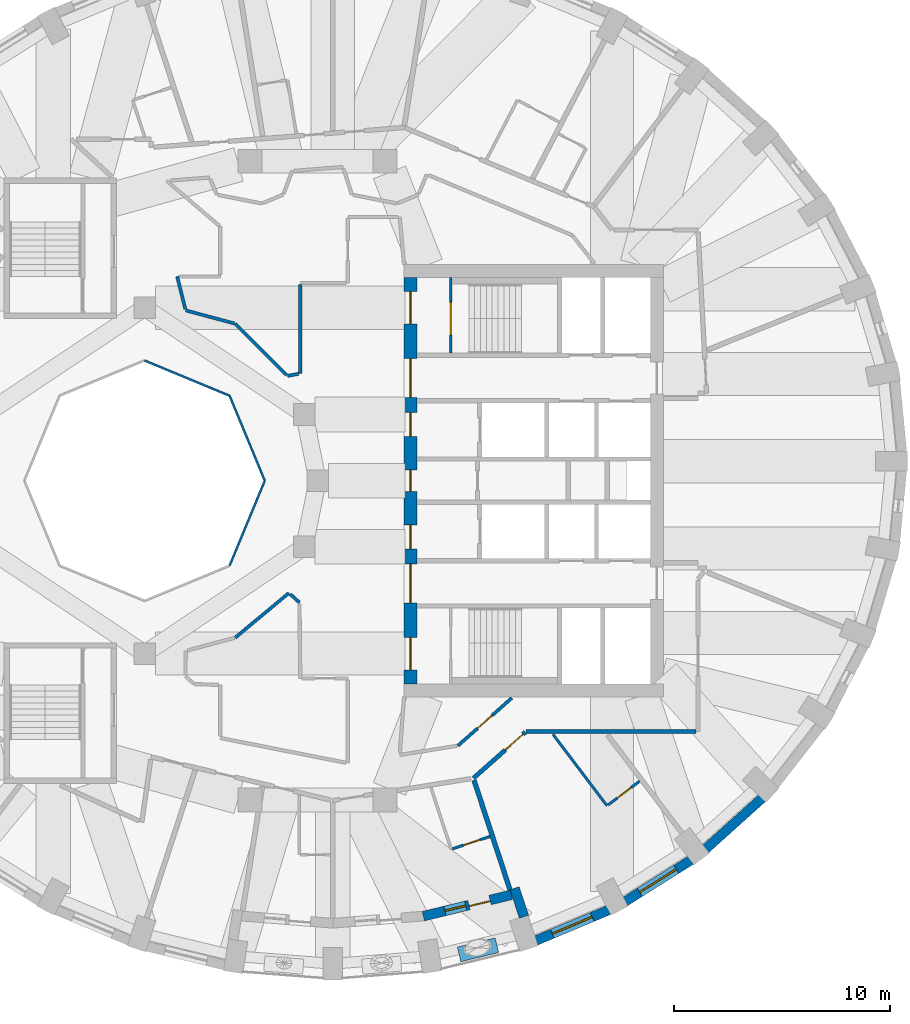
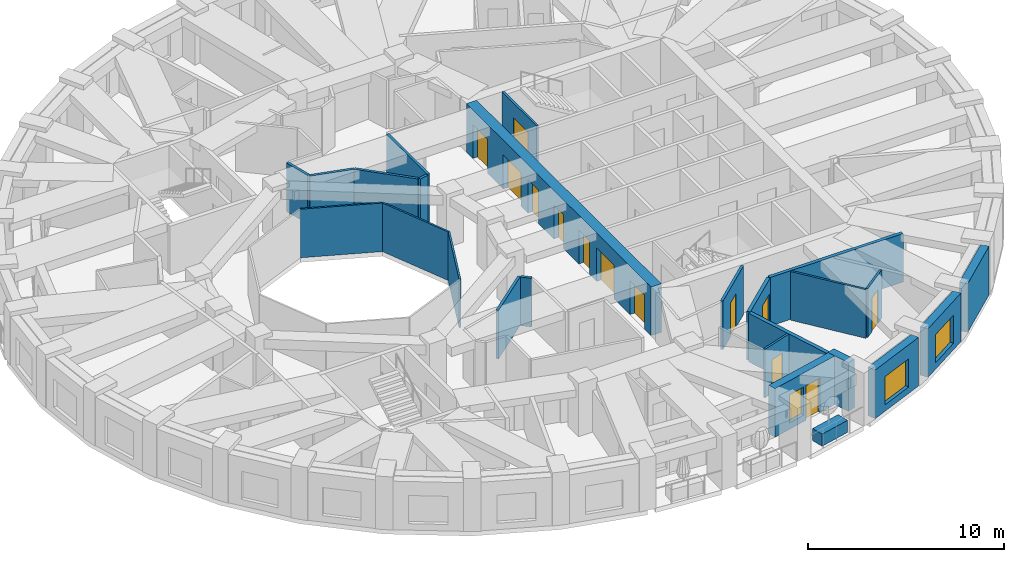
# One storey, part 5 of 12: 25 walls, 13 doors, 3 windows, 16 openings.
"""IFC4 building model written with IfcOpenShell, lengths in metres."""

import ifcopenshell
import ifcopenshell.guid

model = None  # the IFC model being written
_history = None  # IfcOwnerHistory: only IFC2X3 demands one
_inside = {}  # id of a spatial element -> (the spatial element, [elements in it])
_under = {}  # id of a project, library or spatial element -> (it, [spatial elements below it])
_declared = {}  # id of a project -> (the project, [libraries it declares])
_typed = {}  # id of a type object -> (the type object, [elements of that type])
_made_of = {}  # id of a material, layer set ... -> (it, [elements and type objects made of it])


def new_model(schema):
    """Start an empty IFC model of exactly this schema.

    Asked for "IFC4X3", IfcOpenShell would pick the latest addendum, in which some entities
    have other attributes; the version numbers below select the first issue.
    IFC2X3 requires an IfcOwnerHistory on every rooted entity: one is made here for all.
    """
    global model, _history
    if schema == "IFC4X3":
        model = ifcopenshell.file(schema_version=(4, 3, 0, 0))
    else:
        model = ifcopenshell.file(schema=schema)
    _inside.clear()
    _under.clear()
    _declared.clear()
    _typed.clear()
    _made_of.clear()
    _history = None
    if model.schema == "IFC2X3":
        org = make("IfcOrganization", Name="unknown")
        user = make(
            "IfcPersonAndOrganization",
            ThePerson=make("IfcPerson", FamilyName="unknown"),
            TheOrganization=org,
        )
        app = make(
            "IfcApplication",
            ApplicationDeveloper=org,
            Version="unknown",
            ApplicationFullName="unknown",
            ApplicationIdentifier="unknown",
        )
        _history = make(
            "IfcOwnerHistory",
            OwningUser=user,
            OwningApplication=app,
            ChangeAction="ADDED",
            CreationDate=0,
        )
    return model


def make(cls, **values):
    """One entity of the class cls with the attributes given. An attribute that is None is left unset."""
    return model.create_entity(
        cls, **{name: value for name, value in values.items() if value is not None}
    )


def rooted(cls, **values):
    """An entity with a GlobalId (a new one), such as an element, a storey or a relation."""
    return make(cls, GlobalId=ifcopenshell.guid.new(), OwnerHistory=_history, **values)


def si_unit(unit_type, name, prefix=None):
    """IfcSIUnit, for example si_unit("LENGTHUNIT", "METRE", prefix="MILLI")."""
    return make("IfcSIUnit", UnitType=unit_type, Prefix=prefix, Name=name)


def assignment(units):
    """IfcUnitAssignment: the units of a project."""
    return None if units is None else make("IfcUnitAssignment", Units=units)


def point(xyz):
    """IfcCartesianPoint."""
    return None if xyz is None else make("IfcCartesianPoint", Coordinates=xyz)


def direction(xyz):
    """IfcDirection."""
    return None if xyz is None else make("IfcDirection", DirectionRatios=xyz)


def frame(location, z_axis=None, x_axis=None):
    """IfcAxis2Placement3D, a coordinate frame: its origin and axes. An axis left out is left unset."""
    return make(
        "IfcAxis2Placement3D",
        Location=point(location),
        Axis=direction(z_axis),
        RefDirection=direction(x_axis),
    )


def frame_2d(location, x_axis=None):
    """IfcAxis2Placement2D, a coordinate frame in the plane: its origin and x axis."""
    return make(
        "IfcAxis2Placement2D", Location=point(location), RefDirection=direction(x_axis)
    )


def origin():
    """The frame at (0, 0, 0) with its axes left unset."""
    return frame((0.0, 0.0, 0.0))


def place(relative_to, where):
    """IfcLocalPlacement: puts the frame where relative to a parent placement (None: the world)."""
    return make(
        "IfcLocalPlacement", PlacementRelTo=relative_to, RelativePlacement=where
    )


def context(
    kind, dimensions, precision=None, world=None, true_north=None, identifier=None
):
    """IfcGeometricRepresentationContext, for example the 3D "Model" context."""
    return make(
        "IfcGeometricRepresentationContext",
        ContextIdentifier=identifier,
        ContextType=kind,
        CoordinateSpaceDimension=dimensions,
        Precision=precision,
        WorldCoordinateSystem=world,
        TrueNorth=true_north,
    )


def subcontext(parent, identifier, kind, view, scale=None):
    """IfcGeometricRepresentationSubContext, for example "Body" below "Model"."""
    return make(
        "IfcGeometricRepresentationSubContext",
        ContextIdentifier=identifier,
        ContextType=kind,
        ParentContext=parent,
        TargetScale=scale,
        TargetView=view,
    )


def project(units=None, contexts=None):
    """IfcProject with its units and contexts."""
    return rooted(
        "IfcProject",
        Name="project",
        RepresentationContexts=contexts,
        UnitsInContext=assignment(units),
    )


def spatial(cls, under=None, at=None, **own):
    """A site, building, storey or space (cls), placed at a placement, below another one or the project."""
    s = rooted(cls, ObjectPlacement=at, **own)
    if under is not None:
        _under.setdefault(under.id(), (under, []))[1].append(s)
    return s


def profile(cls, at=None, kind="AREA", **sizes):
    """A parametric profile (cls). Its sizes go by their IFC names, for example OverallWidth=200.0."""
    return make(cls, ProfileType=kind, Position=at, **sizes)


def rectangle(**sizes):
    """IfcRectangleProfileDef."""
    return profile("IfcRectangleProfileDef", **sizes)


def extrude(swept, where, along, depth):
    """IfcExtrudedAreaSolid: the profile swept, set in the frame where, extruded along a direction by depth."""
    return make(
        "IfcExtrudedAreaSolid",
        SweptArea=swept,
        Position=where,
        ExtrudedDirection=direction(along),
        Depth=depth,
    )


def shape(context_of_items, identifier, shape_type, items):
    """IfcShapeRepresentation: the items that make up one representation, for example the "Body"."""
    return make(
        "IfcShapeRepresentation",
        ContextOfItems=context_of_items,
        RepresentationIdentifier=identifier,
        RepresentationType=shape_type,
        Items=items,
    )


def material(Name=None, Category=None):
    """IfcMaterial."""
    return make("IfcMaterial", Name=Name, Category=Category)


def layer(
    of_material, thickness, ventilated=None, Name=None, Category=None, Priority=None
):
    """IfcMaterialLayer: one layer of a wall or slab, of a material (None: an air gap)."""
    return make(
        "IfcMaterialLayer",
        Material=of_material,
        LayerThickness=thickness,
        IsVentilated=ventilated,
        Name=Name,
        Category=Category,
        Priority=Priority,
    )


def layer_set(layers, Name=None):
    """IfcMaterialLayerSet."""
    return make("IfcMaterialLayerSet", MaterialLayers=layers, LayerSetName=Name)


def constituent(of_material, Name=None, Category=None, fraction=None):
    """IfcMaterialConstituent: one of the materials an element consists of."""
    return make(
        "IfcMaterialConstituent",
        Name=Name,
        Material=of_material,
        Fraction=fraction,
        Category=Category,
    )


def constituent_set(constituents=None, Name=None):
    """IfcMaterialConstituentSet."""
    return make(
        "IfcMaterialConstituentSet", Name=Name, MaterialConstituents=constituents
    )


def made_of(thing, what):
    """Note that an element or type object is made of a material, layer set ...; save() writes the relation."""
    if what is not None:
        _made_of.setdefault(what.id(), (what, []))[1].append(thing)
    return thing


def type_object(cls, material=None, **own):
    """A type object (cls), such as IfcWallType, which elements share."""
    return made_of(rooted(cls, **own), material)


def element(
    cls,
    number,
    at=None,
    inside=None,
    cuts=None,
    type_object=None,
    material=None,
    context=None,
    identifier="Body",
    shape_type=None,
    held_by="IfcProductDefinitionShape",
    body=None,
    shapes=None,
    **own,
):
    """One element of the class cls, such as IfcWall. Its Tag is "e" and its number.

    at: its placement. inside: the storey or other place that contains it. cuts: it is an
    opening in that element (IfcRelVoidsElement). A single representation is given by context,
    identifier, shape_type and body (its items); several are given by shapes. held_by: the class
    of the entity that holds the representations. save() writes the other relations.
    """
    e = rooted(cls, Tag="e%d" % number, ObjectPlacement=at, **own)
    if body is not None:
        shapes = [shape(context, identifier, shape_type, body)]
    if shapes is not None:
        e.Representation = make(held_by, Representations=shapes)
    if inside is not None:
        _inside.setdefault(inside.id(), (inside, []))[1].append(e)
    if cuts is not None:
        rooted(
            "IfcRelVoidsElement", RelatingBuildingElement=cuts, RelatedOpeningElement=e
        )
    if type_object is not None:
        _typed.setdefault(type_object.id(), (type_object, []))[1].append(e)
    return made_of(e, material)


def fill(opening, filler):
    """IfcRelFillsElement: the door or window that sits in an opening."""
    return rooted(
        "IfcRelFillsElement",
        RelatingOpeningElement=opening,
        RelatedBuildingElement=filler,
    )


def aggregate(whole, parts):
    """IfcRelAggregates: a whole, such as a stair, and the parts it consists of."""
    return rooted("IfcRelAggregates", RelatingObject=whole, RelatedObjects=parts)


def save(model, path):
    """Write the relations noted so far, then the file.

    IfcRelAggregates (storeys below a building ...), IfcRelContainedInSpatialStructure (elements
    in a storey), IfcRelDefinesByType, IfcRelAssociatesMaterial and IfcRelDeclares: one each for
    every whole, place, type object, material and project.
    """
    for whole, parts in _under.values():
        aggregate(whole, parts)
    for where, things in _inside.values():
        rooted(
            "IfcRelContainedInSpatialStructure",
            RelatedElements=things,
            RelatingStructure=where,
        )
    for kind, things in _typed.values():
        rooted("IfcRelDefinesByType", RelatedObjects=things, RelatingType=kind)
    for what, things in _made_of.values():
        rooted("IfcRelAssociatesMaterial", RelatedObjects=things, RelatingMaterial=what)
    for by, libraries in _declared.values():
        rooted("IfcRelDeclares", RelatingContext=by, RelatedDefinitions=libraries)
    model.write(path)


model = new_model("IFC4")

# Units and contexts
model_context = context("Model", 3, precision=1e-05, world=origin(), true_north=direction((0.0, 1.0)))
body_context = subcontext(model_context, "Body", "Model", "MODEL_VIEW")
ifc_project = project(units=[si_unit("LENGTHUNIT", "METRE"), si_unit("AREAUNIT", "SQUARE_METRE"), si_unit("VOLUMEUNIT", "CUBIC_METRE"), si_unit("PLANEANGLEUNIT", "RADIAN"), si_unit("MASSUNIT", "GRAM", prefix="KILO")], contexts=[model_context])

# Site, building, storey
site_placement = place(None, origin())
site = spatial("IfcSite", under=ifc_project, at=site_placement, CompositionType="ELEMENT")
building_placement = place(site_placement, origin())
building = spatial("IfcBuilding", under=site, at=building_placement, Name="Taillehof Tower", CompositionType="ELEMENT")
storey_placement = place(building_placement, frame((0.0, 0.0, 202.39990234375)))
storey = spatial("IfcBuildingStorey", under=building, at=storey_placement, Name="L57", CompositionType="ELEMENT", Elevation=202.39990234375)

# Walls
ifc_material_1 = material(Name="Fire-resisting glass in steel frame", Category="steel")
ifc_layer_1 = layer(ifc_material_1, 0.10009765625)
ifc_layer_set_1 = layer_set([ifc_layer_1], Name="Atrium fire-resisting screen EI 60 100")
wall_type_1 = type_object("IfcWallType", Name="Atrium fire-resisting screen EI 60 100", PredefinedType="PARTITIONING", material=ifc_layer_set_1)
for number, where, z_axis, x_axis, name in (
    (1, (-2.44580078125, 0.0, 0.0), (0.0, 0.0, 1.0), (-0.382730523909, -0.923860025149, 0.0), "Atrium screen"),
    (2, (-8.0, 5.55419921875, 0.0), (0.0, 0.0, 1.0), (0.923860025149, -0.382730523909, 0.0), "Atrium screen"),
    (3, (-4.07275390625, 3.92724609375, 0.0), (0.0, 0.0, 1.0), (0.382730523909, -0.923860025149, 0.0), "Atrium screen"),
):
    element("IfcWall", number, at=place(storey_placement, frame(where, z_axis=z_axis, x_axis=x_axis)), inside=storey, type_object=wall_type_1, Name=name, PredefinedType="PARTITIONING", context=body_context, shape_type="SweptSolid", body=[
        extrude(rectangle(XDim=4.2509765625, YDim=0.10009765625, at=frame_2d((2.12548828125, 0.0))), origin(), (0.0, 0.0, 1.0), 3.02001953125),
    ])

# Wall, opening, window
ifc_material_2 = material(Name="Brick masonry", Category="masonry")
ifc_layer_2 = layer(ifc_material_2, 0.449951171875)
ifc_layer_set_2 = layer_set([ifc_layer_2], Name="Brick infill wall 450")
wall_type_2 = type_object("IfcWallType", Name="Brick infill wall 450", PredefinedType="SOLIDWALL", material=ifc_layer_set_2)
wall_1_placement = place(storey_placement, frame((10.1025390625, -21.279052734375, 0.0), z_axis=(0.0, 0.0, 1.0), x_axis=(0.922168222612, 0.386789050006, 0.0)))
wall_1 = element("IfcWall", 4, at=wall_1_placement, inside=storey, type_object=wall_type_2, Name="Brick wall L57 bay 30", PredefinedType="SOLIDWALL", context=body_context, shape_type="SweptSolid", body=[
    extrude(rectangle(XDim=3.65087890625, YDim=0.449951171875, at=frame_2d((1.825439453125, 0.0))), origin(), (0.0, 0.0, 1.0), 3.02001953125),
])
opening_1_placement = place(wall_1_placement, frame((0.825439453125, 0.0, 0.39990234375)))
opening_1 = element("IfcOpeningElement", 5, at=opening_1_placement, cuts=wall_1, Name="Opening W2", PredefinedType="OPENING", context=body_context, shape_type="SweptSolid", body=[
    extrude(rectangle(XDim=2.0, YDim=1.75, at=frame_2d((1.0, 0.875))), frame((0.0, 0.23486328125, 0.0), z_axis=(0.0, -1.0, 0.0), x_axis=(1.0, 0.0, 0.0)), (0.0, 0.0, 1.0), 0.469970703125),
])
ifc_material_3 = material(Name="Aluminium window frame with clear double glazing", Category="aluminium")
window_type_1 = type_object("IfcWindowType", Name="Deep-set window 2000x1750", PartitioningType="SINGLE_PANEL", PredefinedType="WINDOW", material=ifc_material_3)
window_1_placement = place(opening_1_placement, origin())
window_1 = element("IfcWindow", 6, at=window_1_placement, inside=storey, type_object=window_type_1, Name="W2", OverallHeight=1.75, OverallWidth=2.0, PartitioningType="SINGLE_PANEL", PredefinedType="WINDOW", context=body_context, shape_type="SweptSolid", body=[
    extrude(rectangle(XDim=2.0, YDim=1.75, at=frame_2d((1.0, 0.875))), frame((0.0, 0.034912109375, 0.0), z_axis=(0.0, -1.0, 0.0), x_axis=(1.0, 0.0, 0.0)), (0.0, 0.0, 1.0), 0.06005859375),
])
fill(opening_1, window_1)

wall_2_placement = place(storey_placement, frame((14.232421875, -19.469970703125, 0.0), z_axis=(0.0, 0.0, 1.0), x_axis=(0.84614984472, 0.532945063098, 0.0)))
wall_2 = element("IfcWall", 7, at=wall_2_placement, inside=storey, type_object=wall_type_2, Name="Brick wall L57 bay 31", PredefinedType="SOLIDWALL", context=body_context, shape_type="SweptSolid", body=[
    extrude(rectangle(XDim=3.58642578125, YDim=0.449951171875, at=frame_2d((1.793212890625, 0.0))), origin(), (0.0, 0.0, 1.0), 3.02001953125),
])
opening_2_placement = place(wall_2_placement, frame((0.79345703125, 0.0, 0.39990234375)))
opening_2 = element("IfcOpeningElement", 8, at=opening_2_placement, cuts=wall_2, Name="Opening W2", PredefinedType="OPENING", context=body_context, shape_type="SweptSolid", body=[
    extrude(rectangle(XDim=2.0, YDim=1.75, at=frame_2d((1.0, 0.875))), frame((0.0, 0.23486328125, 0.0), z_axis=(0.0, -1.0, 0.0), x_axis=(1.0, 0.0, 0.0)), (0.0, 0.0, 1.0), 0.469970703125),
])
window_2_placement = place(opening_2_placement, origin())
window_2 = element("IfcWindow", 9, at=window_2_placement, inside=storey, type_object=window_type_1, Name="W2", OverallHeight=1.75, OverallWidth=2.0, PartitioningType="SINGLE_PANEL", PredefinedType="WINDOW", context=body_context, shape_type="SweptSolid", body=[
    extrude(rectangle(XDim=2.0, YDim=1.75, at=frame_2d((1.0, 0.875))), frame((0.0, 0.034912109375, 0.0), z_axis=(0.0, -1.0, 0.0), x_axis=(1.0, 0.0, 0.0)), (0.0, 0.0, 1.0), 0.06005859375),
])
fill(opening_2, window_2)

# Walls
wall_3_placement = place(storey_placement, frame((17.953369140625, -17.039794921875, 0.0), z_axis=(0.0, 0.0, 1.0), x_axis=(0.743442727602, 0.668799604348, 0.0)))
element("IfcWall", 10, at=wall_3_placement, inside=storey, type_object=wall_type_2, Name="Brick wall L57 bay 32", PredefinedType="SOLIDWALL", context=body_context, shape_type="SweptSolid", body=[
    extrude(rectangle(XDim=3.5126953125, YDim=0.449951171875, at=frame_2d((1.75634765625, 0.0))), origin(), (0.0, 0.0, 1.0), 3.02001953125),
])
wall_4_placement = place(storey_placement, frame((9.5498046875, -20.1767578125, 0.0), z_axis=(0.0, 0.0, 1.0), x_axis=(-0.31201065878, 0.950078601384, 0.0)))
element("IfcWall", 11, at=wall_4_placement, inside=storey, type_object=wall_type_2, Name="Brick reveal L57 pocket 8", PredefinedType="SOLIDWALL", context=body_context, shape_type="SweptSolid", body=[
    extrude(rectangle(XDim=1.390380859375, YDim=0.449951171875, at=frame_2d((0.6953125, 0.0))), origin(), (0.0, 0.0, 1.0), 3.02001953125),
])

# Wall, openings, door, window
wall_5_placement = place(storey_placement, frame((4.88916015625, -20.146484375, 0.0), z_axis=(0.0, 0.0, 1.0), x_axis=(0.972004107579, 0.234963858602, 0.0)))
wall_5 = element("IfcWall", 12, at=wall_5_placement, inside=storey, type_object=wall_type_2, Name="Brick wall L57 pocket bay 29", PredefinedType="SOLIDWALL", context=body_context, shape_type="SweptSolid", body=[
    extrude(rectangle(XDim=4.20703125, YDim=0.449951171875, at=frame_2d((2.103515625, 0.0))), origin(), (0.0, 0.0, 1.0), 3.02001953125),
])
opening_3_placement = place(wall_5_placement, frame((1.028564453125, 0.0, 0.39990234375)))
opening_3 = element("IfcOpeningElement", 13, at=opening_3_placement, cuts=wall_5, Name="Opening W5", PredefinedType="OPENING", context=body_context, shape_type="SweptSolid", body=[
    extrude(rectangle(XDim=1.0, YDim=1.75, at=frame_2d((0.5, 0.875))), frame((0.0, 0.23486328125, 0.0), z_axis=(0.0, -1.0, 0.0), x_axis=(1.0, 0.0, 0.0)), (0.0, 0.0, 1.0), 0.469970703125),
])
opening_4_placement = place(wall_5_placement, frame((2.1787109375, 0.0, 0.0)))
opening_4 = element("IfcOpeningElement", 14, at=opening_4_placement, cuts=wall_5, Name="Opening D5796", PredefinedType="OPENING", context=body_context, shape_type="SweptSolid", body=[
    extrude(rectangle(XDim=1.0, YDim=2.14990234375, at=frame_2d((0.5, 1.074951171875))), frame((0.0, 0.23486328125, 0.0), z_axis=(0.0, -1.0, 0.0), x_axis=(1.0, 0.0, 0.0)), (0.0, 0.0, 1.0), 0.469970703125),
])
ifc_material_4 = material(Name="Aluminium door frame with clear double glazing", Category="aluminium")
door_type_1 = type_object("IfcDoorType", Name="Balcony door 1000x2150", OperationType="SINGLE_SWING_RIGHT", PredefinedType="DOOR", material=ifc_material_4)
door_1_placement = place(opening_4_placement, frame((1.0, 0.0, 0.0), z_axis=(0.0, 0.0, 1.0), x_axis=(-1.0, 0.0, 0.0)))
door_1 = element("IfcDoor", 15, at=door_1_placement, inside=storey, type_object=door_type_1, Name="Balcony door L57 bay 29", OperationType="SINGLE_SWING_LEFT", OverallHeight=2.14990234375, OverallWidth=1.0, PredefinedType="DOOR", context=body_context, shape_type="SweptSolid", body=[
    extrude(rectangle(XDim=1.0, YDim=2.14990234375, at=frame_2d((0.5, 1.074951171875))), frame((0.0, 0.0751953125, 0.0), z_axis=(0.0, -1.0, 0.0), x_axis=(1.0, 0.0, 0.0)), (0.0, 0.0, 1.0), 0.050048828125),
])
fill(opening_4, door_1)
ifc_material_5 = material(Name="Aluminium window frame with clear double glazing", Category="aluminium")
window_type_2 = type_object("IfcWindowType", Name="Fixed window 1000x1750", PartitioningType="SINGLE_PANEL", PredefinedType="WINDOW", material=ifc_material_5)
window_3_placement = place(opening_3_placement, origin())
window_3 = element("IfcWindow", 16, at=window_3_placement, inside=storey, type_object=window_type_2, Name="W5", OverallHeight=1.75, OverallWidth=1.0, PartitioningType="SINGLE_PANEL", PredefinedType="WINDOW", context=body_context, shape_type="SweptSolid", body=[
    extrude(rectangle(XDim=1.0, YDim=1.75, at=frame_2d((0.5, 0.875))), frame((0.0, 0.034912109375, 0.0), z_axis=(0.0, -1.0, 0.0), x_axis=(1.0, 0.0, 0.0)), (0.0, 0.0, 1.0), 0.06005859375),
])
fill(opening_3, window_3)

# Wall
ifc_material_6 = material(Name="Gypsum board on steel studs, two layers each side", Category="steel")
ifc_layer_3 = layer(ifc_material_6, 0.199951171875)
ifc_layer_set_3 = layer_set([ifc_layer_3], Name="Compartment wall corridor 200")
wall_type_3 = type_object("IfcWallType", Name="Compartment wall corridor 200", PredefinedType="PARTITIONING", material=ifc_layer_set_3)
wall_6_placement = place(storey_placement, frame((17.5, -11.60009765625, 0.0), z_axis=(0.0, 0.0, 1.0), x_axis=(-1.0, 0.0, 0.0)))
element("IfcWall", 17, at=wall_6_placement, inside=storey, type_object=wall_type_3, Name="Compartment wall", PredefinedType="PARTITIONING", context=body_context, shape_type="SweptSolid", body=[
    extrude(rectangle(XDim=7.846923828125, YDim=0.199951171875, at=frame_2d((3.92333984375, 0.0))), origin(), (0.0, 0.0, 1.0), 3.02001953125),
])

# Wall, opening, door
wall_7_placement = place(storey_placement, frame((9.6083984375, -11.6396484375, 0.0), z_axis=(0.0, 0.0, 1.0), x_axis=(-0.748412200225, -0.663233879227, 0.0)))
wall_7 = element("IfcWall", 18, at=wall_7_placement, inside=storey, type_object=wall_type_3, Name="Compartment wall", PredefinedType="PARTITIONING", context=body_context, shape_type="SweptSolid", body=[
    extrude(rectangle(XDim=3.207275390625, YDim=0.199951171875, at=frame_2d((1.603515625, 0.0))), origin(), (0.0, 0.0, 1.0), 3.02001953125),
])
opening_5_placement = place(wall_7_placement, frame((0.139892578125, 0.0, 0.0)))
opening_5 = element("IfcOpeningElement", 19, at=opening_5_placement, cuts=wall_7, Name="Opening D5761", PredefinedType="OPENING", context=body_context, shape_type="SweptSolid", body=[
    extrude(rectangle(XDim=1.10009765625, YDim=2.10009765625, at=frame_2d((0.550048828125, 1.050048828125))), frame((0.0, 0.10986328125, 0.0), z_axis=(0.0, -1.0, 0.0), x_axis=(1.0, 0.0, 0.0)), (0.0, 0.0, 1.0), 0.219970703125),
])
ifc_material_7 = material(Name="Timber door leaf in steel frame", Category="steel")
door_type_2 = type_object("IfcDoorType", Name="Suite entrance door EI 30 1100 x 2100", OperationType="SINGLE_SWING_LEFT", PredefinedType="DOOR", material=ifc_material_7)
door_2_placement = place(opening_5_placement, origin())
door_2 = element("IfcDoor", 20, at=door_2_placement, inside=storey, type_object=door_type_2, Name="D5761", OperationType="SINGLE_SWING_LEFT", OverallHeight=2.10009765625, OverallWidth=1.10009765625, PredefinedType="DOOR", context=body_context, shape_type="SweptSolid", body=[
    extrude(rectangle(XDim=1.10009765625, YDim=2.10009765625, at=frame_2d((0.550048828125, 1.050048828125))), frame((0.0, 0.02490234375, 0.0), z_axis=(0.0, -1.0, 0.0), x_axis=(1.0, 0.0, 0.0)), (0.0, 0.0, 1.0), 0.050048828125),
])
fill(opening_5, door_2)

# Walls
ifc_material_8 = material(Name="Gypsum board on double steel studs with mineral wool", Category="steel")
ifc_layer_4 = layer(ifc_material_8, 0.219970703125)
ifc_layer_set_4 = layer_set([ifc_layer_4], Name="Compartment wall guest room 220")
wall_type_4 = type_object("IfcWallType", Name="Compartment wall guest room 220", PredefinedType="PARTITIONING", material=ifc_layer_set_4)
wall_8_placement = place(storey_placement, frame((8.907958984375, -18.943603515625, 0.0), z_axis=(0.0, 0.0, 1.0), x_axis=(-0.311910788491, 0.950111393481, 0.0)))
element("IfcWall", 21, at=wall_8_placement, inside=storey, type_object=wall_type_4, Name="Compartment wall", PredefinedType="PARTITIONING", context=body_context, shape_type="SweptSolid", body=[
    extrude(rectangle(XDim=5.348388671875, YDim=0.219970703125, at=frame_2d((2.67431640625, 0.0))), origin(), (0.0, 0.0, 1.0), 3.02001953125),
])
ifc_material_9 = material(Name="Gypsum board on steel studs, two layers each side", Category="steel")
ifc_layer_5 = layer(ifc_material_9, 0.14990234375)
ifc_layer_set_5 = layer_set([ifc_layer_5], Name="Compartment wall service room 150")
wall_type_5 = type_object("IfcWallType", Name="Compartment wall service room 150", PredefinedType="PARTITIONING", material=ifc_layer_set_5)
wall_9_placement = place(storey_placement, frame((-0.800048828125, 9.06982421875, 0.0), z_axis=(0.0, 0.0, 1.0), x_axis=(0.0, -1.0, 0.0)))
element("IfcWall", 22, at=wall_9_placement, inside=storey, type_object=wall_type_5, Name="Compartment wall", PredefinedType="PARTITIONING", context=body_context, shape_type="SweptSolid", body=[
    extrude(rectangle(XDim=4.1083984375, YDim=0.14990234375, at=frame_2d((2.05419921875, 0.0))), origin(), (0.0, 0.0, 1.0), 3.02001953125),
])
wall_10_placement = place(storey_placement, frame((-0.878173828125, 4.94580078125, 0.0), z_axis=(0.0, 0.0, 1.0), x_axis=(-0.981223514921, -0.192874087857, 0.0)))
element("IfcWall", 23, at=wall_10_placement, inside=storey, type_object=wall_type_5, Name="Compartment wall", PredefinedType="PARTITIONING", context=body_context, shape_type="SweptSolid", body=[
    extrude(rectangle(XDim=0.521484375, YDim=0.14990234375, at=frame_2d((0.2607421875, 0.0))), origin(), (0.0, 0.0, 1.0), 3.02001953125),
])
wall_11_placement = place(storey_placement, frame((-1.432373046875, 4.8876953125, 0.0), z_axis=(0.0, 0.0, 1.0), x_axis=(-0.70714312975, 0.707070430754, 0.0)))
element("IfcWall", 24, at=wall_11_placement, inside=storey, type_object=wall_type_5, Name="Compartment wall", PredefinedType="PARTITIONING", context=body_context, shape_type="SweptSolid", body=[
    extrude(rectangle(XDim=3.358154296875, YDim=0.14990234375, at=frame_2d((1.67919921875, 0.0))), origin(), (0.0, 0.0, 1.0), 3.02001953125),
])
wall_12_placement = place(storey_placement, frame((-3.845703125, 7.2724609375, 0.0), z_axis=(0.0, 0.0, 1.0), x_axis=(-0.965906023197, 0.258892939941, 0.0)))
element("IfcWall", 25, at=wall_12_placement, inside=storey, type_object=wall_type_5, Name="Compartment wall", PredefinedType="PARTITIONING", context=body_context, shape_type="SweptSolid", body=[
    extrude(rectangle(XDim=2.333984375, YDim=0.14990234375, at=frame_2d((1.1669921875, 0.0))), origin(), (0.0, 0.0, 1.0), 3.02001953125),
])
wall_13_placement = place(storey_placement, frame((-6.11474609375, 7.9345703125, 0.0), z_axis=(0.0, 0.0, 1.0), x_axis=(-0.242425292239, 0.970170076679, 0.0)))
element("IfcWall", 26, at=wall_13_placement, inside=storey, type_object=wall_type_5, Name="Compartment wall", PredefinedType="PARTITIONING", context=body_context, shape_type="SweptSolid", body=[
    extrude(rectangle(XDim=1.56201171875, YDim=0.14990234375, at=frame_2d((0.781005859375, 0.0))), origin(), (0.0, 0.0, 1.0), 3.02001953125),
])
wall_14_placement = place(storey_placement, frame((-3.80712890625, -7.26220703125, 0.0), z_axis=(0.0, 0.0, 1.0), x_axis=(0.768654933145, 0.639663656739, 0.0)))
element("IfcWall", 27, at=wall_14_placement, inside=storey, type_object=wall_type_5, Name="Compartment wall", PredefinedType="PARTITIONING", context=body_context, shape_type="SweptSolid", body=[
    extrude(rectangle(XDim=3.22900390625, YDim=0.14990234375, at=frame_2d((1.614501953125, 0.0))), origin(), (0.0, 0.0, 1.0), 3.02001953125),
])
wall_15_placement = place(storey_placement, frame((-1.265625, -5.25048828125, 0.0), z_axis=(0.0, 0.0, 1.0), x_axis=(0.740704364941, -0.671831112525, 0.0)))
element("IfcWall", 28, at=wall_15_placement, inside=storey, type_object=wall_type_5, Name="Compartment wall", PredefinedType="PARTITIONING", context=body_context, shape_type="SweptSolid", body=[
    extrude(rectangle(XDim=0.577880859375, YDim=0.14990234375, at=frame_2d((0.2890625, 0.0))), origin(), (0.0, 0.0, 1.0), 3.02001953125),
])

# Wall, opening, door
wall_16_placement = place(storey_placement, frame((8.98681640625, -10.052490234375, 0.0), z_axis=(0.0, 0.0, 1.0), x_axis=(-0.74833949077, -0.66331591761, 0.0)))
wall_16 = element("IfcWall", 29, at=wall_16_placement, inside=storey, type_object=wall_type_5, Name="Compartment wall", PredefinedType="PARTITIONING", context=body_context, shape_type="SweptSolid", body=[
    extrude(rectangle(XDim=3.328125, YDim=0.14990234375, at=frame_2d((1.6640625, 0.0))), origin(), (0.0, 0.0, 1.0), 3.02001953125),
])
opening_6_placement = place(wall_16_placement, frame((1.214111328125, 0.0, 0.0)))
opening_6 = element("IfcOpeningElement", 30, at=opening_6_placement, cuts=wall_16, Name="Opening D5768", PredefinedType="OPENING", context=body_context, shape_type="SweptSolid", body=[
    extrude(rectangle(XDim=0.89990234375, YDim=2.10009765625, at=frame_2d((0.449951171875, 1.050048828125))), frame((0.0, 0.0849609375, 0.0), z_axis=(0.0, -1.0, 0.0), x_axis=(1.0, 0.0, 0.0)), (0.0, 0.0, 1.0), 0.169921875),
])
ifc_material_10 = material(Name="Timber door leaf in steel frame", Category="steel")
door_type_3 = type_object("IfcDoorType", Name="Service room door EI 30 900 x 2100", OperationType="SINGLE_SWING_LEFT", PredefinedType="DOOR", material=ifc_material_10)
door_3_placement = place(opening_6_placement, origin())
door_3 = element("IfcDoor", 31, at=door_3_placement, inside=storey, type_object=door_type_3, Name="D5768", OperationType="SINGLE_SWING_LEFT", OverallHeight=2.10009765625, OverallWidth=0.89990234375, PredefinedType="DOOR", context=body_context, shape_type="SweptSolid", body=[
    extrude(rectangle(XDim=0.89990234375, YDim=2.10009765625, at=frame_2d((0.449951171875, 1.050048828125))), frame((0.0, 0.02490234375, 0.0), z_axis=(0.0, -1.0, 0.0), x_axis=(1.0, 0.0, 0.0)), (0.0, 0.0, 1.0), 0.050048828125),
])
fill(opening_6, door_3)

# Wall, openings, doors
ifc_material_11 = material(Name="Concrete C80/95", Category="concrete")
ifc_layer_6 = layer(ifc_material_11, 0.60009765625)
ifc_layer_set_6 = layer_set([ifc_layer_6], Name="Core wall C80/95 600")
wall_type_6 = type_object("IfcWallType", Name="Core wall C80/95 600", PredefinedType="SHEAR", material=ifc_layer_set_6)
wall_17_placement = place(storey_placement, frame((4.300048828125, -9.39990234375, 0.0), z_axis=(0.0, 0.0, 1.0), x_axis=(0.0, 1.0, 0.0)))
wall_17 = element("IfcWall", 32, at=wall_17_placement, inside=storey, type_object=wall_type_6, Name="Core wall CW01", PredefinedType="SHEAR", context=body_context, shape_type="SweptSolid", body=[
    extrude(rectangle(XDim=18.7998046875, YDim=0.60009765625, at=frame_2d((9.39990234375, 0.0))), origin(), (0.0, 0.0, 1.0), 3.02001953125),
])
opening_7_placement = place(wall_17_placement, frame((0.64990234375, 0.0, 0.0)))
opening_7 = element("IfcOpeningElement", 33, at=opening_7_placement, cuts=wall_17, Name="Opening D5701", PredefinedType="OPENING", context=body_context, shape_type="SweptSolid", body=[
    extrude(rectangle(XDim=1.5, YDim=2.10009765625, at=frame_2d((0.75, 1.050048828125))), frame((0.0, 0.31005859375, 0.0), z_axis=(0.0, -1.0, 0.0), x_axis=(1.0, 0.0, 0.0)), (0.0, 0.0, 1.0), 0.6201171875),
])
opening_8_placement = place(wall_17_placement, frame((3.75, 0.0, 0.0)))
opening_8 = element("IfcOpeningElement", 34, at=opening_8_placement, cuts=wall_17, Name="Opening D5702", PredefinedType="OPENING", context=body_context, shape_type="SweptSolid", body=[
    extrude(rectangle(XDim=1.800048828125, YDim=2.10009765625, at=frame_2d((0.89990234375, 1.050048828125))), frame((0.0, 0.31005859375, 0.0), z_axis=(0.0, -1.0, 0.0), x_axis=(1.0, 0.0, 0.0)), (0.0, 0.0, 1.0), 0.6201171875),
])
opening_9_placement = place(wall_17_placement, frame((6.25, 0.0, 0.0)))
opening_9 = element("IfcOpeningElement", 35, at=opening_9_placement, cuts=wall_17, Name="Opening D5703", PredefinedType="OPENING", context=body_context, shape_type="SweptSolid", body=[
    extrude(rectangle(XDim=1.10009765625, YDim=2.10009765625, at=frame_2d((0.550048828125, 1.050048828125))), frame((0.0, 0.31005859375, 0.0), z_axis=(0.0, -1.0, 0.0), x_axis=(1.0, 0.0, 0.0)), (0.0, 0.0, 1.0), 0.6201171875),
])
opening_10_placement = place(wall_17_placement, frame((8.89990234375, 0.0, 0.0)))
opening_10 = element("IfcOpeningElement", 36, at=opening_10_placement, cuts=wall_17, Name="Opening D5704", PredefinedType="OPENING", context=body_context, shape_type="SweptSolid", body=[
    extrude(rectangle(XDim=1.0, YDim=2.10009765625, at=frame_2d((0.5, 1.050048828125))), frame((0.0, 0.31005859375, 0.0), z_axis=(0.0, -1.0, 0.0), x_axis=(1.0, 0.0, 0.0)), (0.0, 0.0, 1.0), 0.6201171875),
])
opening_11_placement = place(wall_17_placement, frame((11.449951171875, 0.0, 0.0)))
opening_11 = element("IfcOpeningElement", 37, at=opening_11_placement, cuts=wall_17, Name="Opening D5705", PredefinedType="OPENING", context=body_context, shape_type="SweptSolid", body=[
    extrude(rectangle(XDim=1.10009765625, YDim=2.10009765625, at=frame_2d((0.550048828125, 1.050048828125))), frame((0.0, 0.31005859375, 0.0), z_axis=(0.0, -1.0, 0.0), x_axis=(1.0, 0.0, 0.0)), (0.0, 0.0, 1.0), 0.6201171875),
])
opening_12_placement = place(wall_17_placement, frame((13.25, 0.0, 0.0)))
opening_12 = element("IfcOpeningElement", 38, at=opening_12_placement, cuts=wall_17, Name="Opening D5706", PredefinedType="OPENING", context=body_context, shape_type="SweptSolid", body=[
    extrude(rectangle(XDim=1.800048828125, YDim=2.10009765625, at=frame_2d((0.89990234375, 1.050048828125))), frame((0.0, 0.31005859375, 0.0), z_axis=(0.0, -1.0, 0.0), x_axis=(1.0, 0.0, 0.0)), (0.0, 0.0, 1.0), 0.6201171875),
])
opening_13_placement = place(wall_17_placement, frame((16.64990234375, 0.0, 0.0)))
opening_13 = element("IfcOpeningElement", 39, at=opening_13_placement, cuts=wall_17, Name="Opening D5707", PredefinedType="OPENING", context=body_context, shape_type="SweptSolid", body=[
    extrude(rectangle(XDim=1.5, YDim=2.10009765625, at=frame_2d((0.75, 1.050048828125))), frame((0.0, 0.31005859375, 0.0), z_axis=(0.0, -1.0, 0.0), x_axis=(1.0, 0.0, 0.0)), (0.0, 0.0, 1.0), 0.6201171875),
])
ifc_material_12 = material(Name="Steel-faced fire door", Category="steel")
door_type_4 = type_object("IfcDoorType", Name="Firefighting lobby door 1100x2100", OperationType="SINGLE_SWING_RIGHT", PredefinedType="DOOR", material=ifc_material_12)
door_4_placement = place(opening_9_placement, origin())
door_4 = element("IfcDoor", 40, at=door_4_placement, inside=storey, type_object=door_type_4, Name="Firefighting lobby door FFL-S", OperationType="SINGLE_SWING_RIGHT", OverallHeight=2.10009765625, OverallWidth=1.10009765625, PredefinedType="DOOR", context=body_context, shape_type="SweptSolid", body=[
    extrude(rectangle(XDim=1.10009765625, YDim=2.10009765625, at=frame_2d((0.550048828125, 1.050048828125))), frame((0.0, 0.02490234375, 0.0), z_axis=(0.0, -1.0, 0.0), x_axis=(1.0, 0.0, 0.0)), (0.0, 0.0, 1.0), 0.050048828125),
])
fill(opening_9, door_4)
door_5_placement = place(opening_11_placement, origin())
door_5 = element("IfcDoor", 41, at=door_5_placement, inside=storey, type_object=door_type_4, Name="Firefighting lobby door FFL-N", OperationType="SINGLE_SWING_LEFT", OverallHeight=2.10009765625, OverallWidth=1.10009765625, PredefinedType="DOOR", context=body_context, shape_type="SweptSolid", body=[
    extrude(rectangle(XDim=1.10009765625, YDim=2.10009765625, at=frame_2d((0.550048828125, 1.050048828125))), frame((0.0, 0.02490234375, 0.0), z_axis=(0.0, -1.0, 0.0), x_axis=(1.0, 0.0, 0.0)), (0.0, 0.0, 1.0), 0.050048828125),
])
fill(opening_11, door_5)
ifc_material_13 = material(Name="Steel-faced fire door", Category="steel")
door_type_5 = type_object("IfcDoorType", Name="Lift lobby door 1800x2100", OperationType="DOUBLE_DOOR_SINGLE_SWING", PredefinedType="DOOR", material=ifc_material_13)
door_6_placement = place(opening_8_placement, origin())
door_6 = element("IfcDoor", 42, at=door_6_placement, inside=storey, type_object=door_type_5, Name="Lift lobby door LL-S", OperationType="DOUBLE_DOOR_SINGLE_SWING", OverallHeight=2.10009765625, OverallWidth=1.800048828125, PredefinedType="DOOR", context=body_context, shape_type="SweptSolid", body=[
    extrude(rectangle(XDim=1.800048828125, YDim=2.10009765625, at=frame_2d((0.89990234375, 1.050048828125))), frame((0.0, 0.02490234375, 0.0), z_axis=(0.0, -1.0, 0.0), x_axis=(1.0, 0.0, 0.0)), (0.0, 0.0, 1.0), 0.050048828125),
])
fill(opening_8, door_6)
door_7_placement = place(opening_12_placement, origin())
door_7 = element("IfcDoor", 43, at=door_7_placement, inside=storey, type_object=door_type_5, Name="Lift lobby door LL-N", OperationType="DOUBLE_DOOR_SINGLE_SWING", OverallHeight=2.10009765625, OverallWidth=1.800048828125, PredefinedType="DOOR", context=body_context, shape_type="SweptSolid", body=[
    extrude(rectangle(XDim=1.800048828125, YDim=2.10009765625, at=frame_2d((0.89990234375, 1.050048828125))), frame((0.0, 0.02490234375, 0.0), z_axis=(0.0, -1.0, 0.0), x_axis=(1.0, 0.0, 0.0)), (0.0, 0.0, 1.0), 0.050048828125),
])
fill(opening_12, door_7)
ifc_material_14 = material(Name="Steel-faced fire door", Category="steel")
door_type_6 = type_object("IfcDoorType", Name="Service door 1000x2100", OperationType="SINGLE_SWING_RIGHT", PredefinedType="DOOR", material=ifc_material_14)
door_8_placement = place(opening_10_placement, origin())
door_8 = element("IfcDoor", 44, at=door_8_placement, inside=storey, type_object=door_type_6, Name="Service door SV", OperationType="SINGLE_SWING_LEFT", OverallHeight=2.10009765625, OverallWidth=1.0, PredefinedType="DOOR", context=body_context, shape_type="SweptSolid", body=[
    extrude(rectangle(XDim=1.0, YDim=2.10009765625, at=frame_2d((0.5, 1.050048828125))), frame((0.0, 0.02490234375, 0.0), z_axis=(0.0, -1.0, 0.0), x_axis=(1.0, 0.0, 0.0)), (0.0, 0.0, 1.0), 0.050048828125),
])
fill(opening_10, door_8)
ifc_material_15 = material(Name="Steel-faced fire door", Category="steel")
door_type_7 = type_object("IfcDoorType", Name="Stair door 1500x2100", OperationType="DOUBLE_DOOR_SINGLE_SWING", PredefinedType="DOOR", material=ifc_material_15)
door_9_placement = place(opening_7_placement, origin())
door_9 = element("IfcDoor", 45, at=door_9_placement, inside=storey, type_object=door_type_7, Name="Stair door S2", OperationType="DOUBLE_DOOR_SINGLE_SWING", OverallHeight=2.10009765625, OverallWidth=1.5, PredefinedType="DOOR", context=body_context, shape_type="SweptSolid", body=[
    extrude(rectangle(XDim=1.5, YDim=2.10009765625, at=frame_2d((0.75, 1.050048828125))), frame((0.0, 0.02490234375, 0.0), z_axis=(0.0, -1.0, 0.0), x_axis=(1.0, 0.0, 0.0)), (0.0, 0.0, 1.0), 0.050048828125),
])
fill(opening_7, door_9)
door_10_placement = place(opening_13_placement, origin())
door_10 = element("IfcDoor", 46, at=door_10_placement, inside=storey, type_object=door_type_7, Name="Stair door S1", OperationType="DOUBLE_DOOR_SINGLE_SWING", OverallHeight=2.10009765625, OverallWidth=1.5, PredefinedType="DOOR", context=body_context, shape_type="SweptSolid", body=[
    extrude(rectangle(XDim=1.5, YDim=2.10009765625, at=frame_2d((0.75, 1.050048828125))), frame((0.0, 0.02490234375, 0.0), z_axis=(0.0, -1.0, 0.0), x_axis=(1.0, 0.0, 0.0)), (0.0, 0.0, 1.0), 0.050048828125),
])
fill(opening_13, door_10)

# Wall
ifc_material_16 = material(Name="Gypsum board on steel studs, moisture resistant", Category="steel")
ifc_layer_7 = layer(ifc_material_16, 0.1201171875)
ifc_layer_set_7 = layer_set([ifc_layer_7], Name="En-suite wall 120")
wall_type_7 = type_object("IfcWallType", Name="En-suite wall 120", PredefinedType="PARTITIONING", material=ifc_layer_set_7)
wall_18_placement = place(storey_placement, frame((10.88671875, -11.73193359375, 0.0), z_axis=(0.0, 0.0, 1.0), x_axis=(0.603646932038, -0.797251767913, 0.0)))
element("IfcWall", 47, at=wall_18_placement, inside=storey, type_object=wall_type_7, Name="En-suite wall", PredefinedType="PARTITIONING", context=body_context, shape_type="SweptSolid", body=[
    extrude(rectangle(XDim=4.148681640625, YDim=0.1201171875, at=frame_2d((2.07421875, 0.0))), origin(), (0.0, 0.0, 1.0), 3.02001953125),
])

# Wall, opening, door
wall_19_placement = place(storey_placement, frame((6.23876953125, -17.0322265625, 0.0), z_axis=(0.0, 0.0, 1.0), x_axis=(0.950127811882, 0.311860771962, 0.0)))
wall_19 = element("IfcWall", 48, at=wall_19_placement, inside=storey, type_object=wall_type_7, Name="En-suite wall", PredefinedType="PARTITIONING", context=body_context, shape_type="SweptSolid", body=[
    extrude(rectangle(XDim=1.82958984375, YDim=0.1201171875, at=frame_2d((0.914794921875, 0.0))), origin(), (0.0, 0.0, 1.0), 3.02001953125),
])
opening_14_placement = place(wall_19_placement, frame((0.539794921875, 0.0, 0.0)))
opening_14 = element("IfcOpeningElement", 49, at=opening_14_placement, cuts=wall_19, Name="Opening D5760", PredefinedType="OPENING", context=body_context, shape_type="SweptSolid", body=[
    extrude(rectangle(XDim=0.800048828125, YDim=2.10009765625, at=frame_2d((0.39990234375, 1.050048828125))), frame((0.0, 0.070068359375, 0.0), z_axis=(0.0, -1.0, 0.0), x_axis=(1.0, 0.0, 0.0)), (0.0, 0.0, 1.0), 0.14013671875),
])
ifc_material_17 = material(Name="Timber door leaf in steel frame", Category="steel")
door_type_8 = type_object("IfcDoorType", Name="En-suite door 800 x 2100", OperationType="SINGLE_SWING_LEFT", PredefinedType="DOOR", material=ifc_material_17)
door_11_placement = place(opening_14_placement, origin())
door_11 = element("IfcDoor", 50, at=door_11_placement, inside=storey, type_object=door_type_8, Name="D5760", OperationType="SINGLE_SWING_RIGHT", OverallHeight=2.10009765625, OverallWidth=0.800048828125, PredefinedType="DOOR", context=body_context, shape_type="SweptSolid", body=[
    extrude(rectangle(XDim=0.800048828125, YDim=2.10009765625, at=frame_2d((0.39990234375, 1.050048828125))), frame((0.0, 0.02490234375, 0.0), z_axis=(0.0, -1.0, 0.0), x_axis=(1.0, 0.0, 0.0)), (0.0, 0.0, 1.0), 0.050048828125),
])
fill(opening_14, door_11)

wall_20_placement = place(storey_placement, frame((13.43896484375, -15.00341796875, 0.0), z_axis=(0.0, 0.0, 1.0), x_axis=(0.797238062708, 0.603665032422, 0.0)))
wall_20 = element("IfcWall", 51, at=wall_20_placement, inside=storey, type_object=wall_type_7, Name="En-suite wall", PredefinedType="PARTITIONING", context=body_context, shape_type="SweptSolid", body=[
    extrude(rectangle(XDim=1.830078125, YDim=0.1201171875, at=frame_2d((0.9150390625, 0.0))), origin(), (0.0, 0.0, 1.0), 3.02001953125),
])
opening_15_placement = place(wall_20_placement, frame((0.5400390625, 0.0, 0.0)))
opening_15 = element("IfcOpeningElement", 52, at=opening_15_placement, cuts=wall_20, Name="Opening D5762", PredefinedType="OPENING", context=body_context, shape_type="SweptSolid", body=[
    extrude(rectangle(XDim=0.800048828125, YDim=2.10009765625, at=frame_2d((0.39990234375, 1.050048828125))), frame((0.0, 0.070068359375, 0.0), z_axis=(0.0, -1.0, 0.0), x_axis=(1.0, 0.0, 0.0)), (0.0, 0.0, 1.0), 0.14013671875),
])
door_12_placement = place(opening_15_placement, origin())
door_12 = element("IfcDoor", 53, at=door_12_placement, inside=storey, type_object=door_type_8, Name="D5762", OperationType="SINGLE_SWING_RIGHT", OverallHeight=2.10009765625, OverallWidth=0.800048828125, PredefinedType="DOOR", context=body_context, shape_type="SweptSolid", body=[
    extrude(rectangle(XDim=0.800048828125, YDim=2.10009765625, at=frame_2d((0.39990234375, 1.050048828125))), frame((0.0, 0.02490234375, 0.0), z_axis=(0.0, -1.0, 0.0), x_axis=(1.0, 0.0, 0.0)), (0.0, 0.0, 1.0), 0.050048828125),
])
fill(opening_15, door_12)

# Wall
ifc_material_18 = material(Name="Concrete C30/37 precast", Category="concrete")
ifc_constituent_1 = constituent(ifc_material_18, Name="Structure", Category="concrete")
ifc_material_19 = material(Name="Insulated lining")
ifc_constituent_2 = constituent(ifc_material_19, Name="Lining")
ifc_constituent_set = constituent_set(constituents=[ifc_constituent_1, ifc_constituent_2], Name="Planter trough 700x750")
wall_type_8 = type_object("IfcWallType", Name="Planter trough 700x750", PredefinedType="USERDEFINED", material=ifc_constituent_set)
wall_21_placement = place(storey_placement, frame((6.54638671875, -21.9140625, 0.0), z_axis=(0.0, 0.0, 1.0), x_axis=(0.97215043642, 0.234357694494, 0.0)))
element("IfcWall", 54, at=wall_21_placement, inside=storey, type_object=wall_type_8, Name="Planter L57 bay 29", ObjectType="PLANTER", PredefinedType="USERDEFINED", context=body_context, shape_type="SweptSolid", body=[
    extrude(rectangle(XDim=1.800048828125, YDim=0.699951171875, at=frame_2d((0.89990234375, 0.0))), origin(), (0.0, 0.0, 1.0), 0.75),
])

# Wall, opening, door
ifc_material_20 = material(Name="Concrete C50/60", Category="concrete")
ifc_layer_8 = layer(ifc_material_20, 0.1201171875)
ifc_layer_set_8 = layer_set([ifc_layer_8], Name="Stair lobby wall C50/60 120")
wall_type_9 = type_object("IfcWallType", Name="Stair lobby wall C50/60 120", PredefinedType="SHEAR", material=ifc_layer_set_8)
wall_22_placement = place(storey_placement, frame((6.159912109375, 5.89990234375, 0.0), z_axis=(0.0, 0.0, 1.0), x_axis=(0.0, 1.0, 0.0)))
wall_22 = element("IfcWall", 55, at=wall_22_placement, inside=storey, type_object=wall_type_9, Name="Compartment wall SW", PredefinedType="SHEAR", context=body_context, shape_type="SweptSolid", body=[
    extrude(rectangle(XDim=3.5, YDim=0.1201171875, at=frame_2d((1.75, 0.0))), origin(), (0.0, 0.0, 1.0), 3.02001953125),
])
opening_16_placement = place(wall_22_placement, frame((0.85009765625, 0.0, 0.0)))
opening_16 = element("IfcOpeningElement", 56, at=opening_16_placement, cuts=wall_22, Name="Opening D5710", PredefinedType="OPENING", context=body_context, shape_type="SweptSolid", body=[
    extrude(rectangle(XDim=1.5, YDim=2.10009765625, at=frame_2d((0.75, 1.050048828125))), frame((0.0, 0.070068359375, 0.0), z_axis=(0.0, -1.0, 0.0), x_axis=(1.0, 0.0, 0.0)), (0.0, 0.0, 1.0), 0.14013671875),
])
door_13_placement = place(opening_16_placement, origin())
door_13 = element("IfcDoor", 57, at=door_13_placement, inside=storey, type_object=door_type_7, Name="Stair lobby door S1", OperationType="DOUBLE_DOOR_SINGLE_SWING", OverallHeight=2.10009765625, OverallWidth=1.5, PredefinedType="DOOR", context=body_context, shape_type="SweptSolid", body=[
    extrude(rectangle(XDim=1.5, YDim=2.10009765625, at=frame_2d((0.75, 1.050048828125))), frame((0.0, 0.02490234375, 0.0), z_axis=(0.0, -1.0, 0.0), x_axis=(1.0, 0.0, 0.0)), (0.0, 0.0, 1.0), 0.050048828125),
])
fill(opening_16, door_13)

save(model, "model.ifc")
